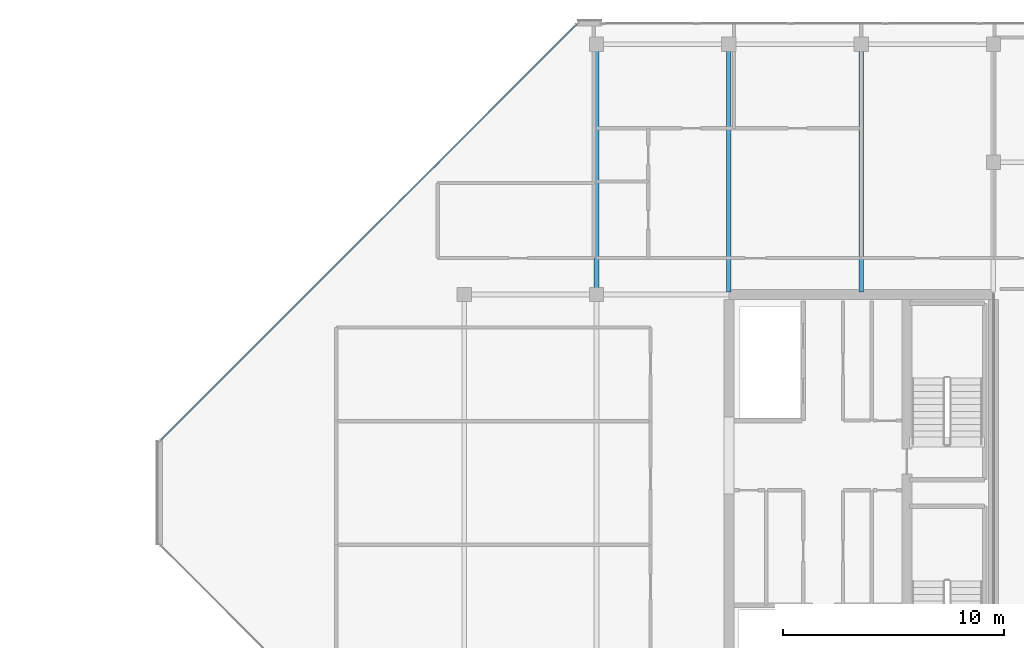
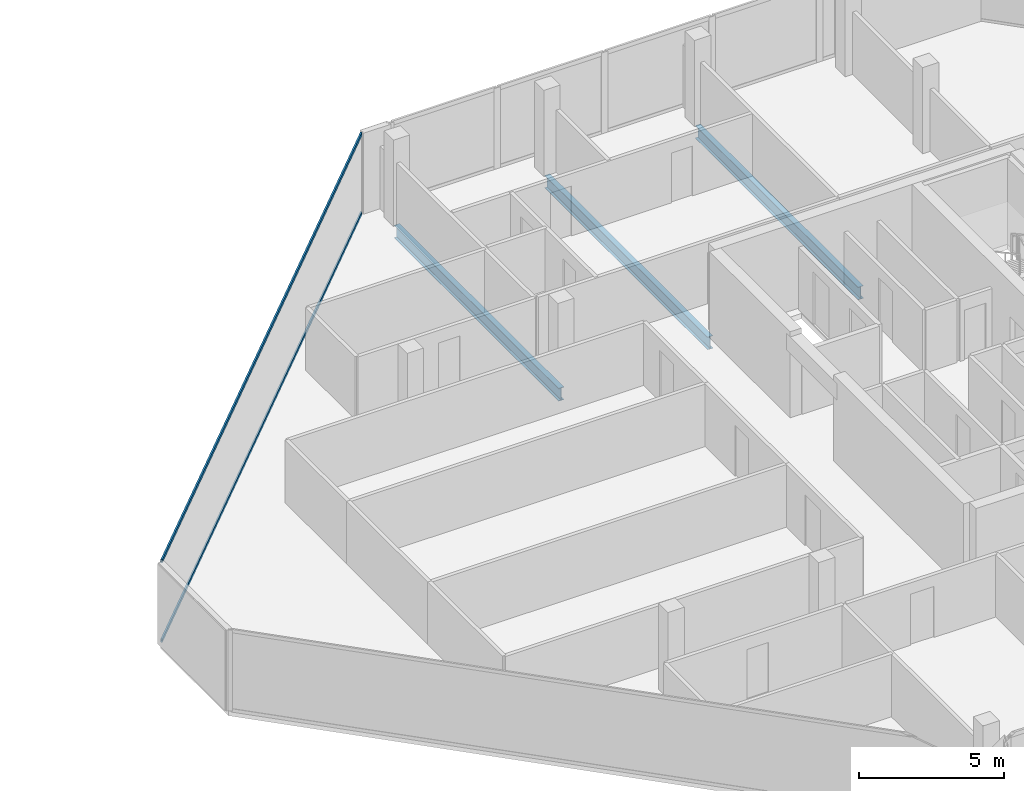
# One storey, part 14 of 28: 3 beams, 2 members, 1 element without a shape of its own.
"""IFC4 building model written with IfcOpenShell, lengths in metres."""

from ifc_helpers import new_model, si_unit, direction, frame, origin, origin_2d, place, context, subcontext, project, spatial, hollow_rectangle, i_section, extrude, material, layer, layer_set, material_profile, profile_set, type_object, element, aggregate, save


model = new_model("IFC4")

# Units and contexts
model_context = context("Model", 3, precision=1e-05, world=origin(), true_north=direction((0.0, 1.0)))
body_context = subcontext(model_context, "Body", "Model", "MODEL_VIEW")
ifc_project = project(units=[si_unit("LENGTHUNIT", "METRE"), si_unit("AREAUNIT", "SQUARE_METRE"), si_unit("VOLUMEUNIT", "CUBIC_METRE"), si_unit("PLANEANGLEUNIT", "RADIAN"), si_unit("MASSUNIT", "GRAM", prefix="KILO")], contexts=[model_context])

# Site, building, storey
site_placement = place(None, origin())
site = spatial("IfcSite", under=ifc_project, at=site_placement, CompositionType="ELEMENT")
building_placement = place(site_placement, origin())
building = spatial("IfcBuilding", under=site, at=building_placement, Name="Tanjung Sevakor Pilgrim Tower", CompositionType="ELEMENT")
storey_placement = place(building_placement, frame((0.0, 0.0, 257.070068359375)))
storey = spatial("IfcBuildingStorey", under=building, at=storey_placement, Name="L72", CompositionType="ELEMENT", Elevation=257.070068359375)

# Beams
ifc_material_1 = material(Name="Steel S355J2", Category="steel")
ifc_material_profile_1 = material_profile(ifc_material_1, i_section(OverallWidth=0.210693359375, OverallDepth=0.53955078125, WebThickness=0.01171875, FlangeThickness=0.018798828125, FilletRadius=0.0126953125, at=origin_2d()))
ifc_profile_set_1 = profile_set([ifc_material_profile_1], Name="Steel S355J2")
beam_type = type_object("IfcBeamType", Name="BM-B-G6-UB_533x210x109", PredefinedType="BEAM", material=ifc_profile_set_1)
beam_placement = place(storey_placement, frame((72.0, 42.60009765625, -0.48974609375), z_axis=(0.0, 1.0, 0.0), x_axis=(-1.0, 0.0, 0.0)))
element("IfcBeam", 1, at=beam_placement, inside=storey, type_object=beam_type, Name="L72 EAST Girder 004", PredefinedType="BEAM", context=body_context, shape_type="SweptSolid", body=[
    extrude(i_section(OverallWidth=0.210693359375, OverallDepth=0.53955078125, WebThickness=0.01171875, FlangeThickness=0.018798828125, FilletRadius=0.0126953125, at=origin_2d()), origin(), (0.0, 0.0, 1.0), 11.349853515625),
])
for number, where, z_axis, x_axis, name in (
    (2, (78.0, 42.7060546875, -0.48974609375), (0.0, 1.0, 0.0), (-1.0, 0.0, 0.0), "L72 EAST Girder 006"),
    (3, (84.0, 42.7060546875, -0.48974609375), (0.0, 1.0, 0.0), (-1.0, 0.0, 0.0), "L72 EAST Girder 008"),
):
    element("IfcBeam", number, at=place(storey_placement, frame(where, z_axis=z_axis, x_axis=x_axis)), inside=storey, type_object=beam_type, Name=name, PredefinedType="BEAM", context=body_context, shape_type="SweptSolid", body=[
        extrude(i_section(OverallWidth=0.210693359375, OverallDepth=0.53955078125, WebThickness=0.01171875, FlangeThickness=0.018798828125, FilletRadius=0.0126953125, at=origin_2d()), origin(), (0.0, 0.0, 1.0), 11.243896484375),
    ])

# Curtain wall, members
ifc_material_2 = material(Name="Aluminium 6063-T6 and Low-E Glass", Category="aluminium")
ifc_layer = layer(ifc_material_2, 0.179931640625)
ifc_layer_set = layer_set([ifc_layer], Name="CW-SYS-CHAM")
curtain_wall_type = type_object("IfcCurtainWallType", Name="CW-SYS-CHAM", PredefinedType="NOTDEFINED", material=ifc_layer_set)
curtain_wall_placement = place(storey_placement, origin())
curtain_wall = element("IfcCurtainWall", 4, at=curtain_wall_placement, inside=storey, type_object=curtain_wall_type, Name="L72 Curtain Wall CW-CHM-L72-EAST-5", PredefinedType="NOTDEFINED")
ifc_material_3 = material(Name="Aluminium 6063-T6", Category="aluminium")
ifc_material_profile_2 = material_profile(ifc_material_3, hollow_rectangle(XDim=0.06494140625, YDim=0.139892578125, WallThickness=0.00390625, at=origin_2d()))
ifc_profile_set_2 = profile_set([ifc_material_profile_2], Name="Aluminium 6063-T6")
member_type = type_object("IfcMemberType", Name="TYPE-CWT-1", PredefinedType="USERDEFINED", material=ifc_profile_set_2)
member_1_placement = place(storey_placement, frame((71.099609375, 54.843994140625, 0.032470703125), z_axis=(-0.707106781187, -0.707106781187, 0.0), x_axis=(0.707106781187, -0.707106781187, 0.0)))
member_1 = element("IfcMember", 5, at=member_1_placement, type_object=member_type, Name="CW-CHM transom 1.1", ObjectType="TRANSOM", PredefinedType="USERDEFINED", context=body_context, shape_type="SweptSolid", body=[
    extrude(hollow_rectangle(XDim=0.06494140625, YDim=0.139892578125, WallThickness=0.00390625, at=origin_2d()), origin(), (0.0, 0.0, 1.0), 26.649169921875),
])
member_2_placement = place(storey_placement, frame((71.099609375, 54.843994140625, 3.37744140625), z_axis=(-0.707106781187, -0.707106781187, 0.0), x_axis=(0.707106781187, -0.707106781187, 0.0)))
member_2 = element("IfcMember", 6, at=member_2_placement, type_object=member_type, Name="CW-CHM transom 1.2", ObjectType="TRANSOM", PredefinedType="USERDEFINED", context=body_context, shape_type="SweptSolid", body=[
    extrude(hollow_rectangle(XDim=0.06494140625, YDim=0.139892578125, WallThickness=0.00390625, at=origin_2d()), origin(), (0.0, 0.0, 1.0), 26.649169921875),
])
aggregate(curtain_wall, [member_1, member_2])

save(model, "model.ifc")
